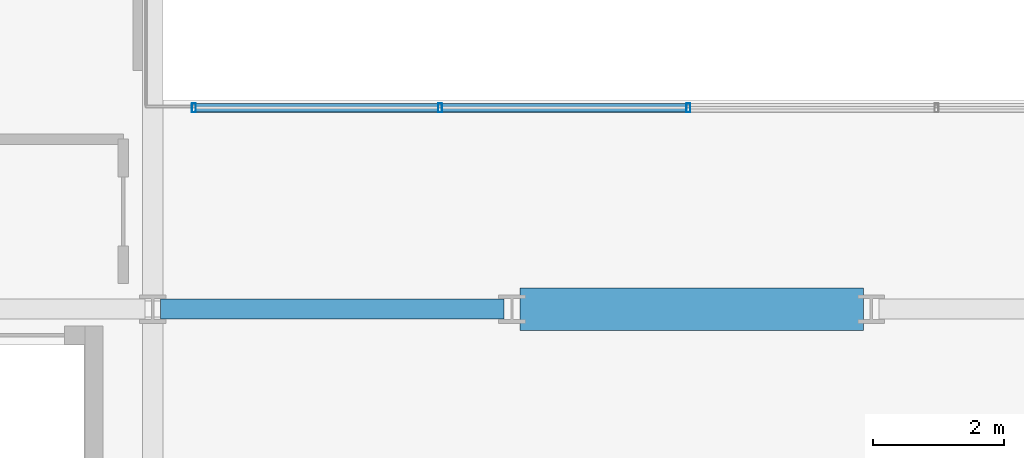
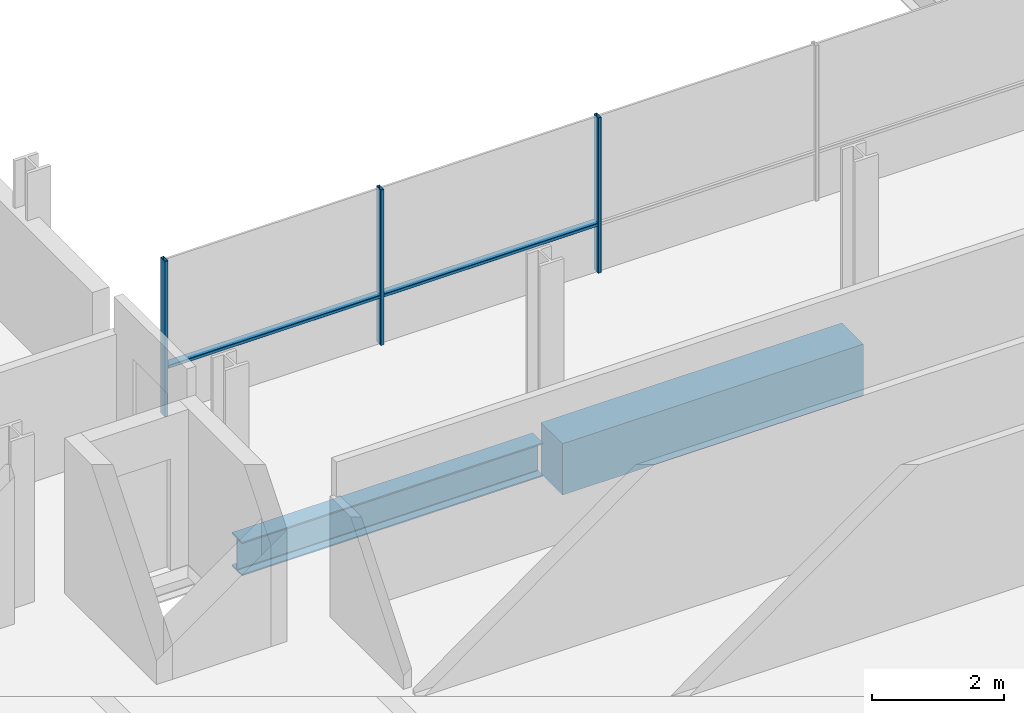
# One storey, part 4 of 39: 5 members, 2 beams, 1 element without a shape of its own.
"""IFC4 building model written with IfcOpenShell, lengths in metres."""

from ifc_helpers import new_model, si_unit, direction, frame, origin, origin_2d, place, context, subcontext, project, spatial, rectangle, hollow_rectangle, i_section, extrude, material, layer, layer_set, material_profile, profile_set, type_object, element, aggregate, save


model = new_model("IFC4")

# Units and contexts
model_context = context("Model", 3, precision=1e-05, world=origin(), true_north=direction((0.0, 1.0)))
body_context = subcontext(model_context, "Body", "Model", "MODEL_VIEW")
ifc_project = project(units=[si_unit("LENGTHUNIT", "METRE"), si_unit("AREAUNIT", "SQUARE_METRE"), si_unit("VOLUMEUNIT", "CUBIC_METRE"), si_unit("PLANEANGLEUNIT", "RADIAN"), si_unit("MASSUNIT", "GRAM", prefix="KILO")], contexts=[model_context])

# Site, building, storey
site_placement = place(None, origin())
site = spatial("IfcSite", under=ifc_project, at=site_placement, CompositionType="ELEMENT")
building_placement = place(site_placement, origin())
building = spatial("IfcBuilding", under=site, at=building_placement, Name="Brevholm Reach", CompositionType="ELEMENT")
storey_placement = place(building_placement, frame((0.0, 0.0, 83.800048828125)))
storey = spatial("IfcBuildingStorey", under=building, at=storey_placement, Name="L24", CompositionType="ELEMENT", Elevation=83.800048828125)

# Beams
ifc_material_1 = material(Name="Concrete C60/75", Category="concrete")
ifc_material_profile_1 = material_profile(ifc_material_1, rectangle(XDim=0.64990234375, YDim=0.949951171875, at=origin_2d()), Name="RC 650x950")
ifc_profile_set_1 = profile_set([ifc_material_profile_1], Name="Concrete C60/75")
beam_type_1 = type_object("IfcBeamType", Name="BM-CB650", PredefinedType="LINTEL", material=ifc_profile_set_1)
beam_1_placement = place(storey_placement, frame((27.3701171875, 10.0, -0.705078125), z_axis=(1.0, 0.0, 0.0), x_axis=(0.0, 1.0, 0.0)))
element("IfcBeam", 1, at=beam_1_placement, inside=storey, type_object=beam_type_1, Name="L24 CB-01 Framing Beam", PredefinedType="LINTEL", context=body_context, shape_type="SweptSolid", body=[
    extrude(rectangle(XDim=0.64990234375, YDim=0.949951171875, at=origin_2d()), origin(), (0.0, 0.0, 1.0), 5.259765625),
])
ifc_material_2 = material(Name="Structural Steel S355J2", Category="steel")
ifc_material_profile_2 = material_profile(ifc_material_2, i_section(OverallWidth=0.30712890625, OverallDepth=0.6201171875, WebThickness=0.01416015625, FlangeThickness=0.023681640625, FilletRadius=0.0166015625, at=origin_2d()), Name="UKB 610x305x179")
ifc_profile_set_2 = profile_set([ifc_material_profile_2], Name="Structural Steel S355J2")
beam_type_2 = type_object("IfcBeamType", Name="BM-UKB610H", PredefinedType="USERDEFINED", material=ifc_profile_set_2)
beam_2_placement = place(storey_placement, frame((21.8701171875, 10.0, -0.5400390625), z_axis=(1.0, 0.0, 0.0), x_axis=(0.0, 1.0, 0.0)))
element("IfcBeam", 2, at=beam_2_placement, inside=storey, type_object=beam_type_2, Name="L24 G-06 Framing Beam", ObjectType="GIRDER", PredefinedType="USERDEFINED", context=body_context, shape_type="SweptSolid", body=[
    extrude(i_section(OverallWidth=0.30712890625, OverallDepth=0.6201171875, WebThickness=0.01416015625, FlangeThickness=0.023681640625, FilletRadius=0.0166015625, at=origin_2d()), origin(), (0.0, 0.0, 1.0), 5.259765625),
])

# Curtain wall, members
ifc_material_3 = material(Name="Dark Anodised Aluminium 6063-T6 and Solar-Control Glass", Category="aluminium")
ifc_layer = layer(ifc_material_3, 0.139892578125)
ifc_layer_set = layer_set([ifc_layer], Name="Dark Anodised Aluminium 6063-T6 and Solar-Control Glass")
curtain_wall_type = type_object("IfcCurtainWallType", Name="CW-02", PredefinedType="NOTDEFINED", material=ifc_layer_set)
curtain_wall_placement = place(storey_placement, origin())
curtain_wall = element("IfcCurtainWall", 3, at=curtain_wall_placement, inside=storey, type_object=curtain_wall_type, Name="L24 Curtain Wall CW-02", PredefinedType="NOTDEFINED")
ifc_material_4 = material(Name="Dark Anodised Aluminium 6063-T6", Category="aluminium")
ifc_material_profile_3 = material_profile(ifc_material_4, hollow_rectangle(XDim=0.06005859375, YDim=0.139892578125, WallThickness=0.0048828125, InnerFilletRadius=0.0048828125, OuterFilletRadius=0.010009765625, at=origin_2d()), Name="RHS 140x60x5")
ifc_profile_set_3 = profile_set([ifc_material_profile_3], Name="Dark Anodised Aluminium 6063-T6")
member_type_1 = type_object("IfcMemberType", Name="CWM-140", PredefinedType="MULLION", material=ifc_profile_set_3)
member_1_placement = place(storey_placement, frame((22.3798828125, 13.080078125, 0.0), z_axis=(0.0, 0.0, 1.0), x_axis=(1.0, 0.0, 0.0)))
member_1 = element("IfcMember", 4, at=member_1_placement, type_object=member_type_1, Name="CM-140 Mullion 1", PredefinedType="MULLION", context=body_context, shape_type="SweptSolid", body=[
    extrude(hollow_rectangle(XDim=0.06005859375, YDim=0.139892578125, WallThickness=0.0048828125, InnerFilletRadius=0.0048828125, OuterFilletRadius=0.010009765625, at=origin_2d()), origin(), (0.0, 0.0, 1.0), 2.869873046875),
])
member_2_placement = place(storey_placement, frame((26.14990234375, 13.080078125, 0.0), z_axis=(0.0, 0.0, 1.0), x_axis=(1.0, 0.0, 0.0)))
member_2 = element("IfcMember", 5, at=member_2_placement, type_object=member_type_1, Name="CM-140 Mullion 2", PredefinedType="MULLION", context=body_context, shape_type="SweptSolid", body=[
    extrude(hollow_rectangle(XDim=0.06005859375, YDim=0.139892578125, WallThickness=0.0048828125, InnerFilletRadius=0.0048828125, OuterFilletRadius=0.010009765625, at=origin_2d()), origin(), (0.0, 0.0, 1.0), 2.869873046875),
])
member_3_placement = place(storey_placement, frame((29.949951171875, 13.080078125, 0.0), z_axis=(0.0, 0.0, 1.0), x_axis=(1.0, 0.0, 0.0)))
member_3 = element("IfcMember", 6, at=member_3_placement, type_object=member_type_1, Name="CM-140 Mullion 3", PredefinedType="MULLION", context=body_context, shape_type="SweptSolid", body=[
    extrude(hollow_rectangle(XDim=0.06005859375, YDim=0.139892578125, WallThickness=0.0048828125, InnerFilletRadius=0.0048828125, OuterFilletRadius=0.010009765625, at=origin_2d()), origin(), (0.0, 0.0, 1.0), 2.869873046875),
])
ifc_material_5 = material(Name="Dark Anodised Aluminium 6063-T6", Category="aluminium")
ifc_material_profile_4 = material_profile(ifc_material_5, hollow_rectangle(XDim=0.06005859375, YDim=0.139892578125, WallThickness=0.0048828125, InnerFilletRadius=0.0048828125, OuterFilletRadius=0.010009765625, at=origin_2d()), Name="RHS 140x60x5")
ifc_profile_set_4 = profile_set([ifc_material_profile_4], Name="Dark Anodised Aluminium 6063-T6")
member_type_2 = type_object("IfcMemberType", Name="CWT-140", PredefinedType="NOTDEFINED", material=ifc_profile_set_4)
member_4_placement = place(storey_placement, frame((22.409912109375, 13.080078125, 0.89990234375), z_axis=(1.0, 0.0, 0.0), x_axis=(0.0, 0.0, 1.0)))
member_4 = element("IfcMember", 7, at=member_4_placement, type_object=member_type_2, Name="CT-140 Transom 1.1", ObjectType="TRANSOM", PredefinedType="USERDEFINED", context=body_context, shape_type="SweptSolid", body=[
    extrude(hollow_rectangle(XDim=0.06005859375, YDim=0.139892578125, WallThickness=0.0048828125, InnerFilletRadius=0.0048828125, OuterFilletRadius=0.010009765625, at=origin_2d()), origin(), (0.0, 0.0, 1.0), 3.710205078125),
])
member_5_placement = place(storey_placement, frame((26.179931640625, 13.080078125, 0.89990234375), z_axis=(1.0, 0.0, 0.0), x_axis=(0.0, 0.0, 1.0)))
member_5 = element("IfcMember", 8, at=member_5_placement, type_object=member_type_2, Name="CT-140 Transom 2.1", ObjectType="TRANSOM", PredefinedType="USERDEFINED", context=body_context, shape_type="SweptSolid", body=[
    extrude(hollow_rectangle(XDim=0.06005859375, YDim=0.139892578125, WallThickness=0.0048828125, InnerFilletRadius=0.0048828125, OuterFilletRadius=0.010009765625, at=origin_2d()), origin(), (0.0, 0.0, 1.0), 3.739990234375),
])
aggregate(curtain_wall, [member_1, member_2, member_3, member_4, member_5])

save(model, "model.ifc")
